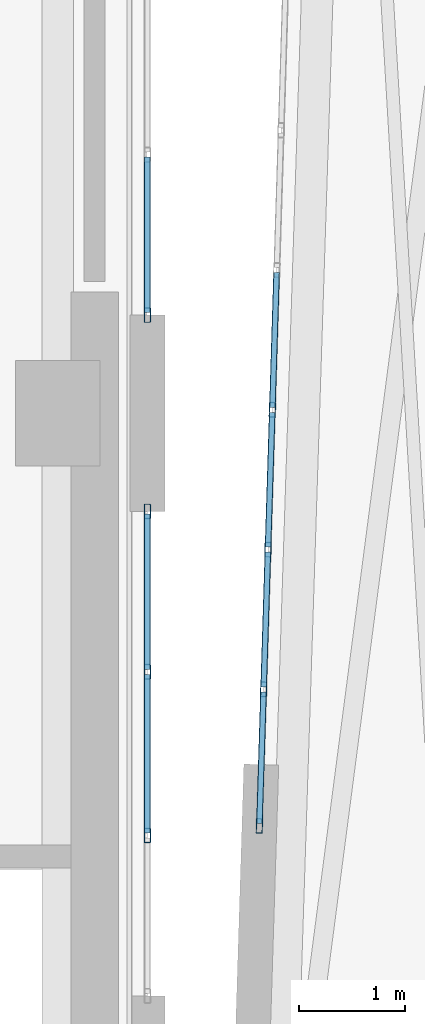
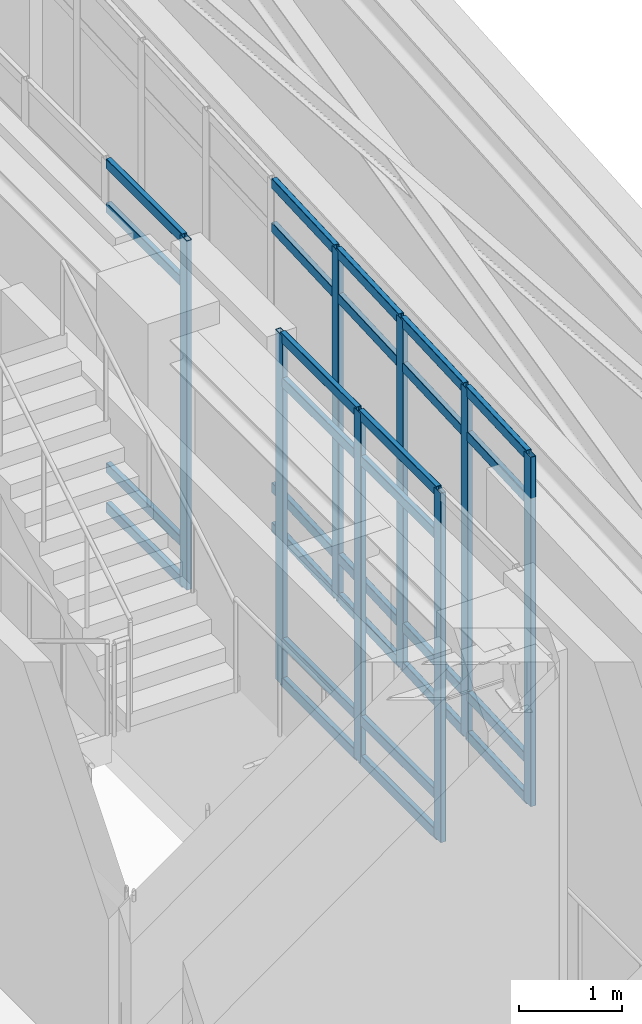
# One storey, part 7 of 19: 36 members, 3 elements without a shape of their own.
"""IFC4 building model written with IfcOpenShell, lengths in metres."""

from ifc_helpers import new_model, si_unit, direction, frame, origin, origin_2d, place, context, subcontext, project, spatial, hollow_rectangle, extrude, material, layer, layer_set, material_profile, profile_set, type_object, element, aggregate, save


model = new_model("IFC4")

# Units and contexts
model_context = context("Model", 3, precision=1e-05, world=origin(), true_north=direction((0.0, 1.0)))
body_context = subcontext(model_context, "Body", "Model", "MODEL_VIEW")
ifc_project = project(units=[si_unit("LENGTHUNIT", "METRE"), si_unit("AREAUNIT", "SQUARE_METRE"), si_unit("VOLUMEUNIT", "CUBIC_METRE"), si_unit("PLANEANGLEUNIT", "RADIAN"), si_unit("MASSUNIT", "GRAM", prefix="KILO")], contexts=[model_context])

# Site, building, storey
site_placement = place(None, origin())
site = spatial("IfcSite", under=ifc_project, at=site_placement, CompositionType="ELEMENT")
building_placement = place(site_placement, origin())
building = spatial("IfcBuilding", under=site, at=building_placement, Name="Ndelora Gate Hotel", CompositionType="ELEMENT")
storey_placement = place(building_placement, frame((0.0, 0.0, 294.800048828125)))
storey = spatial("IfcBuildingStorey", under=building, at=storey_placement, Name="L73", CompositionType="ELEMENT", Elevation=294.800048828125)

# Curtain wall, members
ifc_material_1 = material(Name="Bronze Anodised Unitised Aluminium and Low-E Glass", Category="aluminium")
ifc_layer = layer(ifc_material_1, 0.199951171875)
ifc_layer_set = layer_set([ifc_layer], Name="Bronze Anodised Unitised Aluminium and Low-E Glass")
curtain_wall_type = type_object("IfcCurtainWallType", Name="CW-SYS-8", PredefinedType="NOTDEFINED", material=ifc_layer_set)
curtain_wall_1_placement = place(storey_placement, origin())
curtain_wall_1 = element("IfcCurtainWall", 1, at=curtain_wall_1_placement, inside=storey, type_object=curtain_wall_type, Name="L73 Split-Crown West Cleft Lantern Curtain Wall CW8-1", PredefinedType="NOTDEFINED")
ifc_material_2 = material(Name="Bronze Anodised Aluminium 6063-T6", Category="aluminium")
ifc_material_profile_1 = material_profile(ifc_material_2, hollow_rectangle(XDim=0.06005859375, YDim=0.139892578125, WallThickness=0.00390625, InnerFilletRadius=0.00390625, OuterFilletRadius=0.008056640625, at=origin_2d()), Name="ALU 140x60x4")
ifc_profile_set_1 = profile_set([ifc_material_profile_1], Name="Bronze Anodised Aluminium 6063-T6")
member_type_1 = type_object("IfcMemberType", Name="MB-CW-MUL140", PredefinedType="MULLION", material=ifc_profile_set_1)
member_1_placement = place(storey_placement, frame((8.85009765625, -4.0, -0.004150390625), z_axis=(0.0, 0.0, 1.0), x_axis=(-1.0, 0.0, 0.0)))
member_1 = element("IfcMember", 2, at=member_1_placement, type_object=member_type_1, Name="CW8 mullion 2", PredefinedType="MULLION", context=body_context, shape_type="SweptSolid", body=[
    extrude(hollow_rectangle(XDim=0.06005859375, YDim=0.139892578125, WallThickness=0.00390625, InnerFilletRadius=0.00390625, OuterFilletRadius=0.008056640625, at=origin_2d()), origin(), (0.0, 0.0, 1.0), 4.13818359375),
])
member_2_placement = place(storey_placement, frame((8.85009765625, -2.449951171875, -0.004150390625), z_axis=(0.0, 0.0, 1.0), x_axis=(-1.0, 0.0, 0.0)))
member_2 = element("IfcMember", 3, at=member_2_placement, type_object=member_type_1, Name="CW8 mullion 3", PredefinedType="MULLION", context=body_context, shape_type="SweptSolid", body=[
    extrude(hollow_rectangle(XDim=0.06005859375, YDim=0.139892578125, WallThickness=0.00390625, InnerFilletRadius=0.00390625, OuterFilletRadius=0.008056640625, at=origin_2d()), origin(), (0.0, 0.0, 1.0), 4.13818359375),
])
member_3_placement = place(storey_placement, frame((8.85009765625, -0.929931640625, -0.004150390625), z_axis=(0.0, 0.0, 1.0), x_axis=(-1.0, 0.0, 0.0)))
member_3 = element("IfcMember", 4, at=member_3_placement, type_object=member_type_1, Name="CW8 mullion 4", PredefinedType="MULLION", context=body_context, shape_type="SweptSolid", body=[
    extrude(hollow_rectangle(XDim=0.06005859375, YDim=0.139892578125, WallThickness=0.00390625, InnerFilletRadius=0.00390625, OuterFilletRadius=0.008056640625, at=origin_2d()), origin(), (0.0, 0.0, 1.0), 4.13818359375),
])

# Curtain wall, member
curtain_wall_2_placement = place(storey_placement, origin())
curtain_wall_2 = element("IfcCurtainWall", 5, at=curtain_wall_2_placement, inside=storey, type_object=curtain_wall_type, Name="L73 Split-Crown West Cleft Lantern Curtain Wall CW8-2", PredefinedType="NOTDEFINED")
member_4_placement = place(storey_placement, frame((8.85009765625, 0.929931640625, -0.004150390625), z_axis=(0.0, 0.0, 1.0), x_axis=(-1.0, 0.0, 0.0)))
member_4 = element("IfcMember", 6, at=member_4_placement, type_object=member_type_1, Name="CW8 mullion 1", PredefinedType="MULLION", context=body_context, shape_type="SweptSolid", body=[
    extrude(hollow_rectangle(XDim=0.06005859375, YDim=0.139892578125, WallThickness=0.00390625, InnerFilletRadius=0.00390625, OuterFilletRadius=0.008056640625, at=origin_2d()), origin(), (0.0, 0.0, 1.0), 4.13818359375),
])

# Curtain wall, members
curtain_wall_3_placement = place(storey_placement, origin())
curtain_wall_3 = element("IfcCurtainWall", 7, at=curtain_wall_3_placement, inside=storey, type_object=curtain_wall_type, Name="L73 Split-Crown East Cleft Lantern Curtain Wall CW8", PredefinedType="NOTDEFINED")
member_5_placement = place(storey_placement, frame((10.03369140625, 0.0322265625, -0.004150390625), z_axis=(0.0, 0.0, 1.0), x_axis=(0.999515302198, -0.031131345484, 0.0)))
member_5 = element("IfcMember", 8, at=member_5_placement, type_object=member_type_1, Name="CW8 mullion 6", PredefinedType="MULLION", context=body_context, shape_type="SweptSolid", body=[
    extrude(hollow_rectangle(XDim=0.06005859375, YDim=0.139892578125, WallThickness=0.00390625, InnerFilletRadius=0.00390625, OuterFilletRadius=0.008056640625, at=origin_2d()), origin(), (0.0, 0.0, 1.0), 4.13818359375),
])
member_6_placement = place(storey_placement, frame((9.992431640625, -1.291748046875, -0.004150390625), z_axis=(0.0, 0.0, 1.0), x_axis=(0.999515302198, -0.031131345484, 0.0)))
member_6 = element("IfcMember", 9, at=member_6_placement, type_object=member_type_1, Name="CW8 mullion 7", PredefinedType="MULLION", context=body_context, shape_type="SweptSolid", body=[
    extrude(hollow_rectangle(XDim=0.06005859375, YDim=0.139892578125, WallThickness=0.00390625, InnerFilletRadius=0.00390625, OuterFilletRadius=0.008056640625, at=origin_2d()), origin(), (0.0, 0.0, 1.0), 4.13818359375),
])
member_7_placement = place(storey_placement, frame((9.951171875, -2.61572265625, -0.004150390625), z_axis=(0.0, 0.0, 1.0), x_axis=(0.999515302198, -0.031131345484, 0.0)))
member_7 = element("IfcMember", 10, at=member_7_placement, type_object=member_type_1, Name="CW8 mullion 8", PredefinedType="MULLION", context=body_context, shape_type="SweptSolid", body=[
    extrude(hollow_rectangle(XDim=0.06005859375, YDim=0.139892578125, WallThickness=0.00390625, InnerFilletRadius=0.00390625, OuterFilletRadius=0.008056640625, at=origin_2d()), origin(), (0.0, 0.0, 1.0), 4.13818359375),
])
member_8_placement = place(storey_placement, frame((9.910888671875, -3.90966796875, -0.004150390625), z_axis=(0.0, 0.0, 1.0), x_axis=(0.999515302198, -0.031131345484, 0.0)))
member_8 = element("IfcMember", 11, at=member_8_placement, type_object=member_type_1, Name="CW8 mullion 9", PredefinedType="MULLION", context=body_context, shape_type="SweptSolid", body=[
    extrude(hollow_rectangle(XDim=0.06005859375, YDim=0.139892578125, WallThickness=0.00390625, InnerFilletRadius=0.00390625, OuterFilletRadius=0.008056640625, at=origin_2d()), origin(), (0.0, 0.0, 1.0), 4.13818359375),
])

# Member
ifc_material_profile_2 = material_profile(ifc_material_2, hollow_rectangle(XDim=0.06005859375, YDim=0.1201171875, WallThickness=0.00390625, InnerFilletRadius=0.00390625, OuterFilletRadius=0.008056640625, at=origin_2d()), Name="ALU 120x60x4")
ifc_profile_set_2 = profile_set([ifc_material_profile_2], Name="Bronze Anodised Aluminium 6063-T6")
member_type_2 = type_object("IfcMemberType", Name="MB-CW-TRN120", PredefinedType="USERDEFINED", material=ifc_profile_set_2)
member_9_placement = place(storey_placement, frame((8.85009765625, -3.97607421875, 0.030029296875), z_axis=(0.0, 1.0, 0.0), x_axis=(-1.0, 0.0, 0.0)))
member_9 = element("IfcMember", 12, at=member_9_placement, type_object=member_type_2, Name="CW8 transom 2.1", ObjectType="TRANSOM", PredefinedType="USERDEFINED", context=body_context, shape_type="SweptSolid", body=[
    extrude(hollow_rectangle(XDim=0.06005859375, YDim=0.1201171875, WallThickness=0.00390625, InnerFilletRadius=0.00390625, OuterFilletRadius=0.008056640625, at=origin_2d()), origin(), (0.0, 0.0, 1.0), 1.501953125),
])

member_10_placement = place(storey_placement, frame((8.85009765625, -3.97607421875, 0.5), z_axis=(0.0, 1.0, 0.0), x_axis=(-1.0, 0.0, 0.0)))
member_10 = element("IfcMember", 13, at=member_10_placement, type_object=member_type_2, Name="CW8 transom 2.2", ObjectType="TRANSOM", PredefinedType="USERDEFINED", context=body_context, shape_type="SweptSolid", body=[
    extrude(hollow_rectangle(XDim=0.06005859375, YDim=0.1201171875, WallThickness=0.00390625, InnerFilletRadius=0.00390625, OuterFilletRadius=0.008056640625, at=origin_2d()), origin(), (0.0, 0.0, 1.0), 1.501953125),
])

member_11_placement = place(storey_placement, frame((8.85009765625, -3.97607421875, 3.579833984375), z_axis=(0.0, 1.0, 0.0), x_axis=(-1.0, 0.0, 0.0)))
member_11 = element("IfcMember", 14, at=member_11_placement, type_object=member_type_2, Name="CW8 transom 2.3", ObjectType="TRANSOM", PredefinedType="USERDEFINED", context=body_context, shape_type="SweptSolid", body=[
    extrude(hollow_rectangle(XDim=0.06005859375, YDim=0.1201171875, WallThickness=0.00390625, InnerFilletRadius=0.00390625, OuterFilletRadius=0.008056640625, at=origin_2d()), origin(), (0.0, 0.0, 1.0), 1.501953125),
])

member_12_placement = place(storey_placement, frame((8.85009765625, -3.97607421875, 4.099853515625), z_axis=(0.0, 1.0, 0.0), x_axis=(-1.0, 0.0, 0.0)))
member_12 = element("IfcMember", 15, at=member_12_placement, type_object=member_type_2, Name="CW8 transom 2.4", ObjectType="TRANSOM", PredefinedType="USERDEFINED", context=body_context, shape_type="SweptSolid", body=[
    extrude(hollow_rectangle(XDim=0.06005859375, YDim=0.1201171875, WallThickness=0.00390625, InnerFilletRadius=0.00390625, OuterFilletRadius=0.008056640625, at=origin_2d()), origin(), (0.0, 0.0, 1.0), 1.501953125),
])

member_13_placement = place(storey_placement, frame((8.85009765625, -2.426025390625, 0.030029296875), z_axis=(0.0, 1.0, 0.0), x_axis=(-1.0, 0.0, 0.0)))
member_13 = element("IfcMember", 16, at=member_13_placement, type_object=member_type_2, Name="CW8 transom 3.1", ObjectType="TRANSOM", PredefinedType="USERDEFINED", context=body_context, shape_type="SweptSolid", body=[
    extrude(hollow_rectangle(XDim=0.06005859375, YDim=0.1201171875, WallThickness=0.00390625, InnerFilletRadius=0.00390625, OuterFilletRadius=0.008056640625, at=origin_2d()), origin(), (0.0, 0.0, 1.0), 1.471923828125),
])

member_14_placement = place(storey_placement, frame((8.85009765625, -2.426025390625, 0.5), z_axis=(0.0, 1.0, 0.0), x_axis=(-1.0, 0.0, 0.0)))
member_14 = element("IfcMember", 17, at=member_14_placement, type_object=member_type_2, Name="CW8 transom 3.2", ObjectType="TRANSOM", PredefinedType="USERDEFINED", context=body_context, shape_type="SweptSolid", body=[
    extrude(hollow_rectangle(XDim=0.06005859375, YDim=0.1201171875, WallThickness=0.00390625, InnerFilletRadius=0.00390625, OuterFilletRadius=0.008056640625, at=origin_2d()), origin(), (0.0, 0.0, 1.0), 1.471923828125),
])

member_15_placement = place(storey_placement, frame((8.85009765625, -2.426025390625, 3.579833984375), z_axis=(0.0, 1.0, 0.0), x_axis=(-1.0, 0.0, 0.0)))
member_15 = element("IfcMember", 18, at=member_15_placement, type_object=member_type_2, Name="CW8 transom 3.3", ObjectType="TRANSOM", PredefinedType="USERDEFINED", context=body_context, shape_type="SweptSolid", body=[
    extrude(hollow_rectangle(XDim=0.06005859375, YDim=0.1201171875, WallThickness=0.00390625, InnerFilletRadius=0.00390625, OuterFilletRadius=0.008056640625, at=origin_2d()), origin(), (0.0, 0.0, 1.0), 1.471923828125),
])

member_16_placement = place(storey_placement, frame((8.85009765625, -2.426025390625, 4.099853515625), z_axis=(0.0, 1.0, 0.0), x_axis=(-1.0, 0.0, 0.0)))
member_16 = element("IfcMember", 19, at=member_16_placement, type_object=member_type_2, Name="CW8 transom 3.4", ObjectType="TRANSOM", PredefinedType="USERDEFINED", context=body_context, shape_type="SweptSolid", body=[
    extrude(hollow_rectangle(XDim=0.06005859375, YDim=0.1201171875, WallThickness=0.00390625, InnerFilletRadius=0.00390625, OuterFilletRadius=0.008056640625, at=origin_2d()), origin(), (0.0, 0.0, 1.0), 1.471923828125),
])

aggregate(curtain_wall_1, [member_1, member_2, member_3, member_9, member_10, member_11, member_12, member_13, member_14, member_15, member_16])

member_17_placement = place(storey_placement, frame((8.85009765625, 0.9541015625, 0.030029296875), z_axis=(0.0, 1.0, 0.0), x_axis=(-1.0, 0.0, 0.0)))
member_17 = element("IfcMember", 20, at=member_17_placement, type_object=member_type_2, Name="CW8 transom 1.1", ObjectType="TRANSOM", PredefinedType="USERDEFINED", context=body_context, shape_type="SweptSolid", body=[
    extrude(hollow_rectangle(XDim=0.06005859375, YDim=0.1201171875, WallThickness=0.00390625, InnerFilletRadius=0.00390625, OuterFilletRadius=0.008056640625, at=origin_2d()), origin(), (0.0, 0.0, 1.0), 1.471923828125),
])

member_18_placement = place(storey_placement, frame((8.85009765625, 0.9541015625, 0.5), z_axis=(0.0, 1.0, 0.0), x_axis=(-1.0, 0.0, 0.0)))
member_18 = element("IfcMember", 21, at=member_18_placement, type_object=member_type_2, Name="CW8 transom 1.2", ObjectType="TRANSOM", PredefinedType="USERDEFINED", context=body_context, shape_type="SweptSolid", body=[
    extrude(hollow_rectangle(XDim=0.06005859375, YDim=0.1201171875, WallThickness=0.00390625, InnerFilletRadius=0.00390625, OuterFilletRadius=0.008056640625, at=origin_2d()), origin(), (0.0, 0.0, 1.0), 1.471923828125),
])

member_19_placement = place(storey_placement, frame((8.85009765625, 0.9541015625, 3.579833984375), z_axis=(0.0, 1.0, 0.0), x_axis=(-1.0, 0.0, 0.0)))
member_19 = element("IfcMember", 22, at=member_19_placement, type_object=member_type_2, Name="CW8 transom 1.3", ObjectType="TRANSOM", PredefinedType="USERDEFINED", context=body_context, shape_type="SweptSolid", body=[
    extrude(hollow_rectangle(XDim=0.06005859375, YDim=0.1201171875, WallThickness=0.00390625, InnerFilletRadius=0.00390625, OuterFilletRadius=0.008056640625, at=origin_2d()), origin(), (0.0, 0.0, 1.0), 1.471923828125),
])

member_20_placement = place(storey_placement, frame((8.85009765625, 0.9541015625, 4.099853515625), z_axis=(0.0, 1.0, 0.0), x_axis=(-1.0, 0.0, 0.0)))
member_20 = element("IfcMember", 23, at=member_20_placement, type_object=member_type_2, Name="CW8 transom 1.4", ObjectType="TRANSOM", PredefinedType="USERDEFINED", context=body_context, shape_type="SweptSolid", body=[
    extrude(hollow_rectangle(XDim=0.06005859375, YDim=0.1201171875, WallThickness=0.00390625, InnerFilletRadius=0.00390625, OuterFilletRadius=0.008056640625, at=origin_2d()), origin(), (0.0, 0.0, 1.0), 1.471923828125),
])

aggregate(curtain_wall_2, [member_4, member_17, member_18, member_19, member_20])

member_21_placement = place(storey_placement, frame((10.07421875, 1.332275390625, 0.030029296875), z_axis=(-0.031169084092, -0.999514126062, 0.0), x_axis=(0.999514126062, -0.031169084092, 0.0)))
member_21 = element("IfcMember", 24, at=member_21_placement, type_object=member_type_2, Name="CW8 transom 5.1", ObjectType="TRANSOM", PredefinedType="USERDEFINED", context=body_context, shape_type="SweptSolid", body=[
    extrude(hollow_rectangle(XDim=0.06005859375, YDim=0.1201171875, WallThickness=0.00390625, InnerFilletRadius=0.00390625, OuterFilletRadius=0.008056640625, at=origin_2d()), origin(), (0.0, 0.0, 1.0), 1.27685546875),
])

member_22_placement = place(storey_placement, frame((10.07421875, 1.332275390625, 0.5), z_axis=(-0.031169084092, -0.999514126062, 0.0), x_axis=(0.999514126062, -0.031169084092, 0.0)))
member_22 = element("IfcMember", 25, at=member_22_placement, type_object=member_type_2, Name="CW8 transom 5.2", ObjectType="TRANSOM", PredefinedType="USERDEFINED", context=body_context, shape_type="SweptSolid", body=[
    extrude(hollow_rectangle(XDim=0.06005859375, YDim=0.1201171875, WallThickness=0.00390625, InnerFilletRadius=0.00390625, OuterFilletRadius=0.008056640625, at=origin_2d()), origin(), (0.0, 0.0, 1.0), 1.27685546875),
])

member_23_placement = place(storey_placement, frame((10.07421875, 1.332275390625, 3.579833984375), z_axis=(-0.031169084092, -0.999514126062, 0.0), x_axis=(0.999514126062, -0.031169084092, 0.0)))
member_23 = element("IfcMember", 26, at=member_23_placement, type_object=member_type_2, Name="CW8 transom 5.3", ObjectType="TRANSOM", PredefinedType="USERDEFINED", context=body_context, shape_type="SweptSolid", body=[
    extrude(hollow_rectangle(XDim=0.06005859375, YDim=0.1201171875, WallThickness=0.00390625, InnerFilletRadius=0.00390625, OuterFilletRadius=0.008056640625, at=origin_2d()), origin(), (0.0, 0.0, 1.0), 1.27685546875),
])

member_24_placement = place(storey_placement, frame((10.07421875, 1.332275390625, 4.099853515625), z_axis=(-0.031169084092, -0.999514126062, 0.0), x_axis=(0.999514126062, -0.031169084092, 0.0)))
member_24 = element("IfcMember", 27, at=member_24_placement, type_object=member_type_2, Name="CW8 transom 5.4", ObjectType="TRANSOM", PredefinedType="USERDEFINED", context=body_context, shape_type="SweptSolid", body=[
    extrude(hollow_rectangle(XDim=0.06005859375, YDim=0.1201171875, WallThickness=0.00390625, InnerFilletRadius=0.00390625, OuterFilletRadius=0.008056640625, at=origin_2d()), origin(), (0.0, 0.0, 1.0), 1.27685546875),
])

member_25_placement = place(storey_placement, frame((10.032958984375, 0.00830078125, 0.030029296875), z_axis=(-0.031169084092, -0.999514126062, 0.0), x_axis=(0.999514126062, -0.031169084092, 0.0)))
member_25 = element("IfcMember", 28, at=member_25_placement, type_object=member_type_2, Name="CW8 transom 6.1", ObjectType="TRANSOM", PredefinedType="USERDEFINED", context=body_context, shape_type="SweptSolid", body=[
    extrude(hollow_rectangle(XDim=0.06005859375, YDim=0.1201171875, WallThickness=0.00390625, InnerFilletRadius=0.00390625, OuterFilletRadius=0.008056640625, at=origin_2d()), origin(), (0.0, 0.0, 1.0), 1.27685546875),
])

member_26_placement = place(storey_placement, frame((10.032958984375, 0.00830078125, 0.5), z_axis=(-0.031169084092, -0.999514126062, 0.0), x_axis=(0.999514126062, -0.031169084092, 0.0)))
member_26 = element("IfcMember", 29, at=member_26_placement, type_object=member_type_2, Name="CW8 transom 6.2", ObjectType="TRANSOM", PredefinedType="USERDEFINED", context=body_context, shape_type="SweptSolid", body=[
    extrude(hollow_rectangle(XDim=0.06005859375, YDim=0.1201171875, WallThickness=0.00390625, InnerFilletRadius=0.00390625, OuterFilletRadius=0.008056640625, at=origin_2d()), origin(), (0.0, 0.0, 1.0), 1.27685546875),
])

member_27_placement = place(storey_placement, frame((10.032958984375, 0.00830078125, 3.579833984375), z_axis=(-0.031169084092, -0.999514126062, 0.0), x_axis=(0.999514126062, -0.031169084092, 0.0)))
member_27 = element("IfcMember", 30, at=member_27_placement, type_object=member_type_2, Name="CW8 transom 6.3", ObjectType="TRANSOM", PredefinedType="USERDEFINED", context=body_context, shape_type="SweptSolid", body=[
    extrude(hollow_rectangle(XDim=0.06005859375, YDim=0.1201171875, WallThickness=0.00390625, InnerFilletRadius=0.00390625, OuterFilletRadius=0.008056640625, at=origin_2d()), origin(), (0.0, 0.0, 1.0), 1.27685546875),
])

member_28_placement = place(storey_placement, frame((10.032958984375, 0.00830078125, 4.099853515625), z_axis=(-0.031169084092, -0.999514126062, 0.0), x_axis=(0.999514126062, -0.031169084092, 0.0)))
member_28 = element("IfcMember", 31, at=member_28_placement, type_object=member_type_2, Name="CW8 transom 6.4", ObjectType="TRANSOM", PredefinedType="USERDEFINED", context=body_context, shape_type="SweptSolid", body=[
    extrude(hollow_rectangle(XDim=0.06005859375, YDim=0.1201171875, WallThickness=0.00390625, InnerFilletRadius=0.00390625, OuterFilletRadius=0.008056640625, at=origin_2d()), origin(), (0.0, 0.0, 1.0), 1.27685546875),
])

member_29_placement = place(storey_placement, frame((9.99169921875, -1.315673828125, 0.030029296875), z_axis=(-0.031169084092, -0.999514126062, 0.0), x_axis=(0.999514126062, -0.031169084092, 0.0)))
member_29 = element("IfcMember", 32, at=member_29_placement, type_object=member_type_2, Name="CW8 transom 7.1", ObjectType="TRANSOM", PredefinedType="USERDEFINED", context=body_context, shape_type="SweptSolid", body=[
    extrude(hollow_rectangle(XDim=0.06005859375, YDim=0.1201171875, WallThickness=0.00390625, InnerFilletRadius=0.00390625, OuterFilletRadius=0.008056640625, at=origin_2d()), origin(), (0.0, 0.0, 1.0), 1.27685546875),
])

member_30_placement = place(storey_placement, frame((9.99169921875, -1.315673828125, 0.5), z_axis=(-0.031169084092, -0.999514126062, 0.0), x_axis=(0.999514126062, -0.031169084092, 0.0)))
member_30 = element("IfcMember", 33, at=member_30_placement, type_object=member_type_2, Name="CW8 transom 7.2", ObjectType="TRANSOM", PredefinedType="USERDEFINED", context=body_context, shape_type="SweptSolid", body=[
    extrude(hollow_rectangle(XDim=0.06005859375, YDim=0.1201171875, WallThickness=0.00390625, InnerFilletRadius=0.00390625, OuterFilletRadius=0.008056640625, at=origin_2d()), origin(), (0.0, 0.0, 1.0), 1.27685546875),
])

member_31_placement = place(storey_placement, frame((9.99169921875, -1.315673828125, 3.579833984375), z_axis=(-0.031169084092, -0.999514126062, 0.0), x_axis=(0.999514126062, -0.031169084092, 0.0)))
member_31 = element("IfcMember", 34, at=member_31_placement, type_object=member_type_2, Name="CW8 transom 7.3", ObjectType="TRANSOM", PredefinedType="USERDEFINED", context=body_context, shape_type="SweptSolid", body=[
    extrude(hollow_rectangle(XDim=0.06005859375, YDim=0.1201171875, WallThickness=0.00390625, InnerFilletRadius=0.00390625, OuterFilletRadius=0.008056640625, at=origin_2d()), origin(), (0.0, 0.0, 1.0), 1.27685546875),
])

member_32_placement = place(storey_placement, frame((9.99169921875, -1.315673828125, 4.099853515625), z_axis=(-0.031169084092, -0.999514126062, 0.0), x_axis=(0.999514126062, -0.031169084092, 0.0)))
member_32 = element("IfcMember", 35, at=member_32_placement, type_object=member_type_2, Name="CW8 transom 7.4", ObjectType="TRANSOM", PredefinedType="USERDEFINED", context=body_context, shape_type="SweptSolid", body=[
    extrude(hollow_rectangle(XDim=0.06005859375, YDim=0.1201171875, WallThickness=0.00390625, InnerFilletRadius=0.00390625, OuterFilletRadius=0.008056640625, at=origin_2d()), origin(), (0.0, 0.0, 1.0), 1.27685546875),
])

member_33_placement = place(storey_placement, frame((9.950439453125, -2.6396484375, 0.030029296875), z_axis=(-0.031136932872, -0.999515128155, 0.0), x_axis=(0.999515128155, -0.031136932872, 0.0)))
member_33 = element("IfcMember", 36, at=member_33_placement, type_object=member_type_2, Name="CW8 transom 8.1", ObjectType="TRANSOM", PredefinedType="USERDEFINED", context=body_context, shape_type="SweptSolid", body=[
    extrude(hollow_rectangle(XDim=0.06005859375, YDim=0.1201171875, WallThickness=0.00390625, InnerFilletRadius=0.00390625, OuterFilletRadius=0.008056640625, at=origin_2d()), origin(), (0.0, 0.0, 1.0), 1.24658203125),
])

member_34_placement = place(storey_placement, frame((9.950439453125, -2.6396484375, 0.5), z_axis=(-0.031136932872, -0.999515128155, 0.0), x_axis=(0.999515128155, -0.031136932872, 0.0)))
member_34 = element("IfcMember", 37, at=member_34_placement, type_object=member_type_2, Name="CW8 transom 8.2", ObjectType="TRANSOM", PredefinedType="USERDEFINED", context=body_context, shape_type="SweptSolid", body=[
    extrude(hollow_rectangle(XDim=0.06005859375, YDim=0.1201171875, WallThickness=0.00390625, InnerFilletRadius=0.00390625, OuterFilletRadius=0.008056640625, at=origin_2d()), origin(), (0.0, 0.0, 1.0), 1.24658203125),
])

member_35_placement = place(storey_placement, frame((9.950439453125, -2.6396484375, 3.579833984375), z_axis=(-0.031136932872, -0.999515128155, 0.0), x_axis=(0.999515128155, -0.031136932872, 0.0)))
member_35 = element("IfcMember", 38, at=member_35_placement, type_object=member_type_2, Name="CW8 transom 8.3", ObjectType="TRANSOM", PredefinedType="USERDEFINED", context=body_context, shape_type="SweptSolid", body=[
    extrude(hollow_rectangle(XDim=0.06005859375, YDim=0.1201171875, WallThickness=0.00390625, InnerFilletRadius=0.00390625, OuterFilletRadius=0.008056640625, at=origin_2d()), origin(), (0.0, 0.0, 1.0), 1.24658203125),
])

member_36_placement = place(storey_placement, frame((9.950439453125, -2.6396484375, 4.099853515625), z_axis=(-0.031136932872, -0.999515128155, 0.0), x_axis=(0.999515128155, -0.031136932872, 0.0)))
member_36 = element("IfcMember", 39, at=member_36_placement, type_object=member_type_2, Name="CW8 transom 8.4", ObjectType="TRANSOM", PredefinedType="USERDEFINED", context=body_context, shape_type="SweptSolid", body=[
    extrude(hollow_rectangle(XDim=0.06005859375, YDim=0.1201171875, WallThickness=0.00390625, InnerFilletRadius=0.00390625, OuterFilletRadius=0.008056640625, at=origin_2d()), origin(), (0.0, 0.0, 1.0), 1.24658203125),
])

aggregate(curtain_wall_3, [member_5, member_6, member_7, member_8, member_21, member_22, member_23, member_24, member_25, member_26, member_27, member_28, member_29, member_30, member_31, member_32, member_33, member_34, member_35, member_36])

save(model, "model.ifc")
